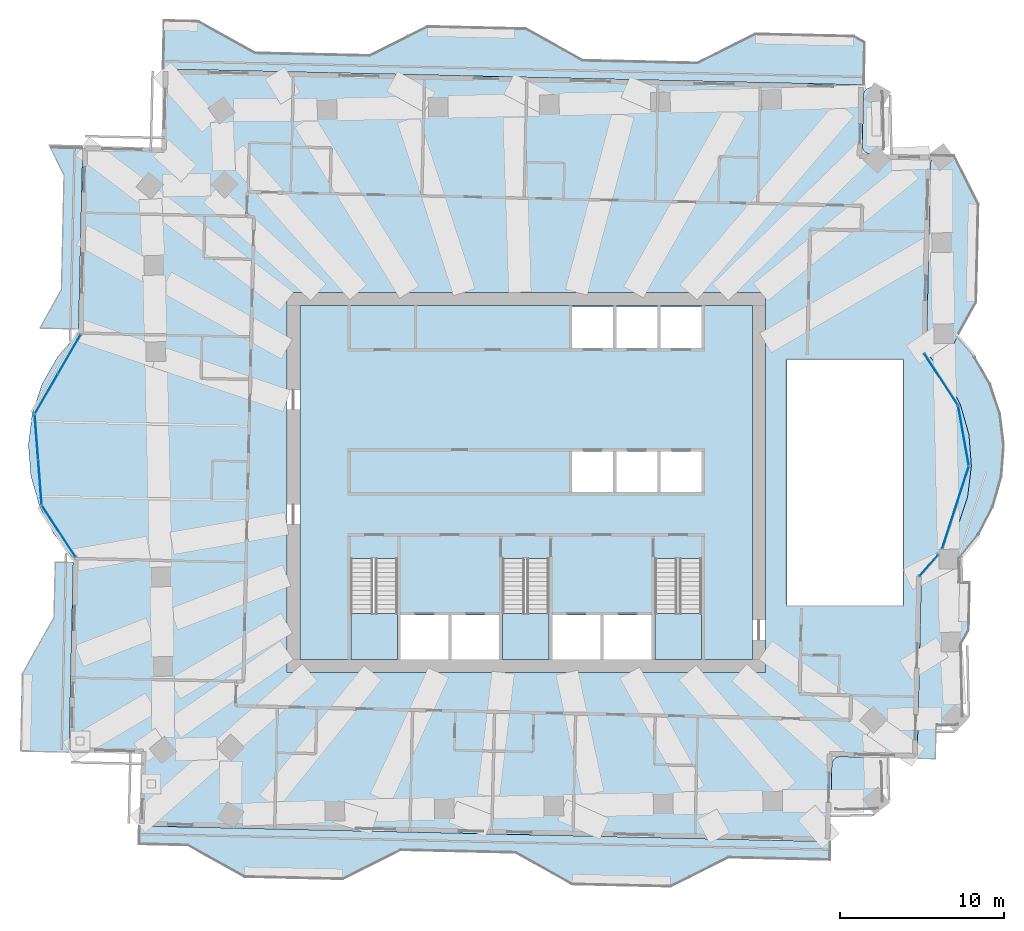
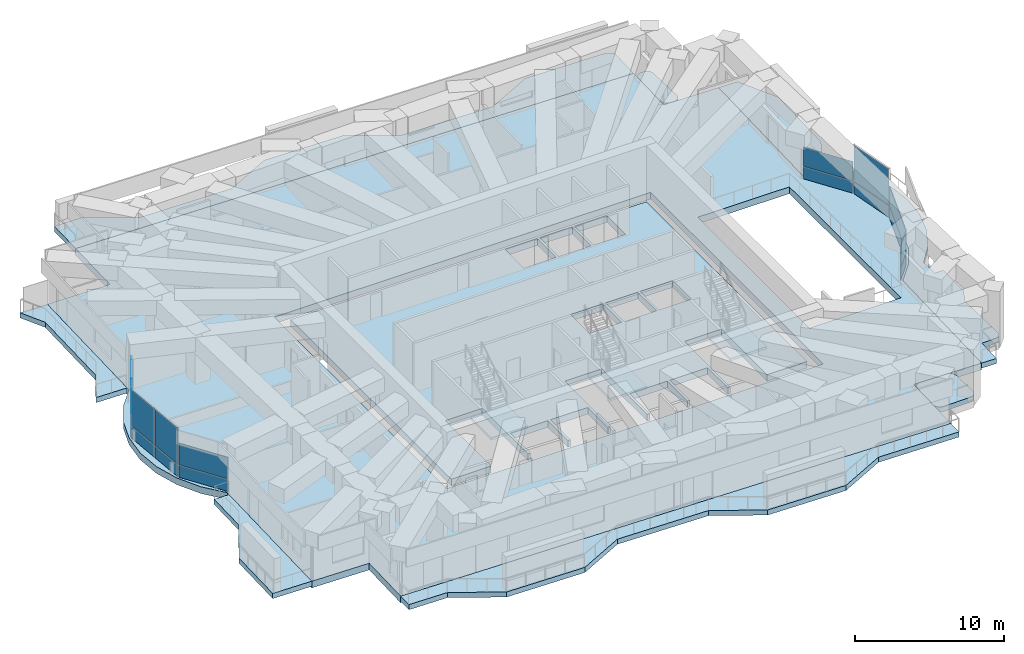
# One storey, part 8 of 19: 18 plates, 13 slabs, 10 elements without a shape of their own.
"""IFC4 building model written with IfcOpenShell, lengths in metres."""

from ifc_helpers import new_model, si_unit, direction, frame, origin, origin_2d, place, context, subcontext, project, spatial, polyline, rectangle, outline, extrude, material, layer, layer_set, type_object, element, aggregate, save


model = new_model("IFC4")

# Units and contexts
model_context = context("Model", 3, precision=1e-05, world=origin(), true_north=direction((0.0, 1.0)))
body_context = subcontext(model_context, "Body", "Model", "MODEL_VIEW")
ifc_project = project(units=[si_unit("LENGTHUNIT", "METRE"), si_unit("AREAUNIT", "SQUARE_METRE"), si_unit("VOLUMEUNIT", "CUBIC_METRE"), si_unit("PLANEANGLEUNIT", "RADIAN"), si_unit("MASSUNIT", "GRAM", prefix="KILO")], contexts=[model_context])

# Site, building, storey
site_placement = place(None, origin())
site = spatial("IfcSite", under=ifc_project, at=site_placement, CompositionType="ELEMENT")
building_placement = place(site_placement, origin())
building = spatial("IfcBuilding", under=site, at=building_placement, Name="Mangrove Gate Tower", CompositionType="ELEMENT")
storey_placement = place(building_placement, frame((0.0, 0.0, 193.300048828125)))
storey = spatial("IfcBuildingStorey", under=building, at=storey_placement, Name="L49", CompositionType="ELEMENT", Elevation=193.300048828125)

# Slabs
ifc_material_1 = material(Name="Porcelain tile")
ifc_layer_1 = layer(ifc_material_1, 0.02001953125, Name="Tile finish")
ifc_material_2 = material(Name="Cement sand screed")
ifc_layer_2 = layer(ifc_material_2, 0.0400390625, Name="Screed laid to falls")
ifc_material_3 = material(Name="Bituminous waterproofing membrane")
ifc_layer_3 = layer(ifc_material_3, 0.00390625, Name="Waterproofing")
ifc_material_4 = material(Name="Concrete C40/50", Category="concrete")
ifc_layer_4 = layer(ifc_material_4, 0.340087890625, Name="Balcony structural slab")
ifc_material_5 = material(Name="Limestone", Category="masonry")
ifc_layer_5 = layer(ifc_material_5, 0.01611328125, Name="Soffit lining")
ifc_layer_set_1 = layer_set([ifc_layer_1, ifc_layer_2, ifc_layer_3, ifc_layer_4, ifc_layer_5], Name="Balcony slab 420 C40/50")
slab_type_1 = type_object("IfcSlabType", Name="Balcony slab 420 C40/50", PredefinedType="FLOOR", material=ifc_layer_set_1)
slab_1_placement = place(storey_placement, frame((0.0, 0.0, -0.420166015625)))
element("IfcSlab", 1, at=slab_1_placement, inside=storey, type_object=slab_type_1, Name="BALCONY L49 E0", PredefinedType="FLOOR", context=body_context, shape_type="SweptSolid", body=[
    extrude(outline(polyline([(24.9990234375, -16.85791015625), (25.044921875, -14.827880859375), (25.047119140625, -14.822021484375), (25.051025390625, -14.818115234375), (25.055908203125, -14.81689453125), (25.06103515625, -14.818115234375), (25.06591796875, -14.822021484375), (26.118896484375, -14.798095703125), (26.1689453125, -14.7939453125), (26.217041015625, -14.785888671875), (26.263916015625, -14.77294921875), (26.31005859375, -14.756103515625), (26.35400390625, -14.73291015625), (26.39501953125, -14.70703125), (26.43408203125, -14.677001953125), (26.468994140625, -14.64404296875), (26.501953125, -14.60595703125), (26.530029296875, -14.56591796875), (26.553955078125, -14.52294921875), (26.573974609375, -14.47900390625), (26.590087890625, -14.43310546875), (26.60107421875, -14.384033203125), (26.60693359375, -14.3359375), (26.60791015625, -14.287109375), (26.510009765625, -9.971923828125), (26.50390625, -9.971923828125), (26.4990234375, -9.969970703125), (26.49609375, -9.966064453125), (26.493896484375, -9.9609375), (26.49609375, -9.9560546875), (27.028076171875, -9.001953125), (27.093017578125, -6.1279296875), (26.429931640625, -6.113037109375), (26.423095703125, -6.111083984375), (26.4189453125, -6.10693359375), (26.41796875, -6.09912109375), (26.422119140625, -6.092041015625), (26.389892578125, -4.66796875), (26.39794921875, -4.655029296875), (27.554931640625, -3.2109375), (27.583984375, -3.1708984375), (27.60888671875, -3.1279296875), (28.43994140625, -1.51708984375), (28.4609375, -1.470947265625), (28.47705078125, -1.424072265625), (28.971923828125, 0.319091796875), (28.98291015625, 0.367919921875), (28.989013671875, 0.41796875), (29.12890625, 2.22509765625), (29.1298828125, 2.27490234375), (29.126953125, 2.324951171875), (28.905029296875, 4.123046875), (28.89697265625, 4.173095703125), (28.883056640625, 4.220947265625), (28.31005859375, 5.93994140625), (28.2919921875, 5.986083984375), (28.26904296875, 6.031005859375), (27.365966796875, 7.60302734375), (27.339111328125, 7.64404296875), (27.30810546875, 7.68408203125), (26.298095703125, 8.83203125), (25.916015625, 8.14404296875), (25.909912109375, 8.137939453125), (25.903076171875, 8.134033203125), (25.89501953125, 8.133056640625), (24.427001953125, 8.1669921875), (24.425048828125, 8.117919921875), (24.427001953125, 8.069091796875), (24.43310546875, 8.01904296875), (24.444091796875, 7.970947265625), (24.4599609375, 7.924072265625), (24.48095703125, 7.8779296875), (24.506103515625, 7.8349609375), (24.534912109375, 7.7939453125), (25.617919921875, 6.443115234375), (26.493896484375, 4.743896484375), (27.01708984375, 2.904052734375), (27.1640625, 0.9970703125), (26.929931640625, -0.902099609375), (26.324951171875, -2.715087890625), (25.3720703125, -4.373046875), (24.22998046875, -5.674072265625), (24.197998046875, -5.712890625), (24.1708984375, -5.7548828125), (24.14892578125, -5.799072265625), (24.131103515625, -5.845947265625), (24.116943359375, -5.89404296875), (24.10888671875, -5.943115234375), (24.10498046875, -5.992919921875), (24.10400390625, -6.0400390625), (24.10791015625, -6.0439453125), (24.110107421875, -6.051025390625), (24.10791015625, -6.055908203125), (24.10400390625, -6.06005859375), (23.85888671875, -16.83203125), (24.9990234375, -16.85791015625)])), origin(), (0.0, 0.0, 1.0), 0.420166015625),
])
slab_2_placement = place(storey_placement, frame((0.0, 0.0, -0.420166015625)))
element("IfcSlab", 2, at=slab_2_placement, inside=storey, type_object=slab_type_1, Name="BALCONY L49 E1", PredefinedType="FLOOR", context=body_context, shape_type="SweptSolid", body=[
    extrude(outline(polyline([(25.89697265625, 8.153076171875), (27.48095703125, 10.992919921875), (27.617919921875, 16.990966796875), (26.15087890625, 19.925048828125), (24.694091796875, 19.9580078125), (24.6279296875, 17.05908203125), (24.491943359375, 11.06005859375), (24.427001953125, 8.18701171875), (25.89697265625, 8.153076171875)])), origin(), (0.0, 0.0, 1.0), 0.420166015625),
])
slab_3_placement = place(storey_placement, frame((0.0, 0.0, -0.420166015625)))
element("IfcSlab", 3, at=slab_3_placement, inside=storey, type_object=slab_type_1, Name="BALCONY L49 N0", PredefinedType="FLOOR", context=body_context, shape_type="SweptSolid", body=[
    extrude(outline(polyline([(20.64990234375, 26.885986328125), (19.987060546875, 27.257080078125), (13.988037109375, 27.39306640625), (10.447021484375, 25.623046875), (3.448974609375, 25.781982421875), (-0.008056640625, 27.7109375), (-0.7080078125, 27.72607421875), (-6.007080078125, 27.846923828125), (-9.548095703125, 26.077880859375), (-16.5458984375, 26.235107421875), (-20.0029296875, 28.1640625), (-22.074951171875, 28.2109375), (-22.14208984375, 25.221923828125), (20.590087890625, 24.251953125), (20.64990234375, 26.885986328125)])), origin(), (0.0, 0.0, 1.0), 0.420166015625),
])
slab_4_placement = place(storey_placement, frame((0.0, 0.0, -0.420166015625)))
element("IfcSlab", 4, at=slab_4_placement, inside=storey, type_object=slab_type_1, Name="BALCONY L49 W0", PredefinedType="FLOOR", context=body_context, shape_type="SweptSolid", body=[
    extrude(outline(polyline([(-29.14111328125, 20.580078125), (-28.23095703125, 18.759033203125), (-28.389892578125, 11.760009765625), (-29.697998046875, 9.4150390625), (-27.303955078125, 9.360107421875), (-27.25, 11.735107421875), (-27.091064453125, 18.73291015625), (-27.050048828125, 20.531982421875), (-29.14111328125, 20.580078125)])), origin(), (0.0, 0.0, 1.0), 0.420166015625),
])
slab_5_placement = place(storey_placement, frame((0.0, 0.0, -0.420166015625)))
element("IfcSlab", 5, at=slab_5_placement, inside=storey, type_object=slab_type_1, Name="BALCONY L49 W1", PredefinedType="FLOOR", context=body_context, shape_type="SweptSolid", body=[
    extrude(outline(polyline([(-28.76708984375, -4.861083984375), (-28.843017578125, -8.23388671875), (-30.77197265625, -11.69189453125), (-30.87890625, -16.389892578125), (-27.889892578125, -16.4580078125), (-27.782958984375, -11.759033203125), (-27.7041015625, -8.260009765625), (-27.626953125, -4.886962890625), (-28.76708984375, -4.861083984375)])), origin(), (0.0, 0.0, 1.0), 0.420166015625),
])
slab_6_placement = place(storey_placement, frame((0.0, 0.0, -0.420166015625)))
element("IfcSlab", 6, at=slab_6_placement, inside=storey, type_object=slab_type_1, Name="BALCONY L49 S0", PredefinedType="FLOOR", context=body_context, shape_type="SweptSolid", body=[
    extrude(outline(polyline([(-23.615966796875, -22.096923828125), (-20.64501953125, -22.1640625), (-17.18798828125, -24.093017578125), (-11.18994140625, -24.22900390625), (-7.64892578125, -22.458984375), (-0.64990234375, -22.617919921875), (2.806884765625, -24.547119140625), (8.804931640625, -24.68310546875), (12.345947265625, -22.9140625), (18.51708984375, -23.052978515625), (18.54296875, -21.9130859375), (-23.591064453125, -20.95703125), (-23.615966796875, -22.096923828125)])), origin(), (0.0, 0.0, 1.0), 0.420166015625),
])
ifc_material_6 = material(Name="Concrete C40/50", Category="concrete")
ifc_layer_6 = layer(ifc_material_6, 0.550048828125)
ifc_layer_set_2 = layer_set([ifc_layer_6], Name="Core floor slab 550 C40/50")
slab_type_2 = type_object("IfcSlabType", Name="Core floor slab 550 C40/50", PredefinedType="FLOOR", material=ifc_layer_set_2)
slab_7_placement = place(storey_placement, frame((0.0, 0.0, -0.550048828125)))
element("IfcSlab", 7, at=slab_7_placement, inside=storey, type_object=slab_type_2, Name="SLAB-L49-CORE-1", PredefinedType="FLOOR", context=body_context, shape_type="SweptSolid", body=[
    extrude(outline(polyline([(-13.800048828125, -10.800048828125), (-13.800048828125, 10.800048828125), (13.800048828125, 10.800048828125), (13.800048828125, -10.800048828125), (10.699951171875, -10.800048828125), (10.699951171875, -4.653076171875), (7.85009765625, -4.653076171875), (7.85009765625, -10.800048828125), (7.64990234375, -10.800048828125), (7.64990234375, -8.10009765625), (4.72509765625, -8.10009765625), (4.72509765625, -10.800048828125), (4.52490234375, -10.800048828125), (4.52490234375, -8.10009765625), (1.60009765625, -8.10009765625), (1.60009765625, -10.800048828125), (1.39990234375, -10.800048828125), (1.39990234375, -4.653076171875), (-1.449951171875, -4.653076171875), (-1.449951171875, -10.800048828125), (-1.64990234375, -10.800048828125), (-1.64990234375, -8.10009765625), (-4.550048828125, -8.10009765625), (-4.550048828125, -10.800048828125), (-4.75, -10.800048828125), (-4.75, -8.10009765625), (-7.64990234375, -8.10009765625), (-7.64990234375, -10.800048828125), (-7.85009765625, -10.800048828125), (-7.85009765625, -4.653076171875), (-10.699951171875, -4.653076171875), (-10.699951171875, -10.800048828125), (-13.800048828125, -10.800048828125)]), holes=[polyline([(5.300048828125, -0.60009765625), (5.300048828125, 1.89990234375), (2.800048828125, 1.89990234375), (2.800048828125, -0.60009765625), (5.300048828125, -0.60009765625)]), polyline([(5.300048828125, 10.699951171875), (2.800048828125, 10.699951171875), (2.800048828125, 8.199951171875), (5.300048828125, 8.199951171875), (5.300048828125, 10.699951171875)]), polyline([(8.0, -0.60009765625), (8.0, 1.89990234375), (5.5, 1.89990234375), (5.5, -0.60009765625), (8.0, -0.60009765625)]), polyline([(10.699951171875, -0.60009765625), (10.699951171875, 1.89990234375), (8.199951171875, 1.89990234375), (8.199951171875, -0.60009765625), (10.699951171875, -0.60009765625)]), polyline([(8.0, 8.199951171875), (8.0, 10.699951171875), (5.5, 10.699951171875), (5.5, 8.199951171875), (8.0, 8.199951171875)]), polyline([(10.699951171875, 8.199951171875), (10.699951171875, 10.699951171875), (8.199951171875, 10.699951171875), (8.199951171875, 8.199951171875), (10.699951171875, 8.199951171875)])]), origin(), (0.0, 0.0, 1.0), 0.550048828125),
])

# Stair, slab
ifc_material_7 = material(Name="Concrete C40/50", Category="concrete")
stair_type = type_object("IfcStairType", Name="Core stair 1350", PredefinedType="HALF_TURN_STAIR", material=ifc_material_7)
stair_1_placement = place(storey_placement, origin())
stair_1 = element("IfcStair", 8, at=stair_1_placement, inside=storey, type_object=stair_type, Name="L49 Stair 1", PredefinedType="HALF_TURN_STAIR")
ifc_material_8 = material(Name="Concrete C40/50", Category="concrete")
ifc_layer_7 = layer(ifc_material_8, 0.199951171875)
ifc_layer_set_3 = layer_set([ifc_layer_7], Name="Core stair landing 200")
slab_type_3 = type_object("IfcSlabType", Name="Core stair landing 200", PredefinedType="LANDING", material=ifc_layer_set_3)
slab_8_placement = place(storey_placement, frame((0.0, 0.0, 2.099853515625)))
slab_8 = element("IfcSlab", 9, at=slab_8_placement, type_object=slab_type_3, Name="ST1 landing 1", PredefinedType="LANDING", context=body_context, shape_type="SweptSolid", body=[
    extrude(outline(polyline([(-10.699951171875, -8.010009765625), (-10.699951171875, -10.800048828125), (-7.85009765625, -10.800048828125), (-7.85009765625, -8.010009765625), (-10.699951171875, -8.010009765625)])), origin(), (0.0, 0.0, 1.0), 0.2001953125),
])
aggregate(stair_1, [slab_8])

stair_2_placement = place(storey_placement, origin())
stair_2 = element("IfcStair", 10, at=stair_2_placement, inside=storey, type_object=stair_type, Name="L49 Stair 2", PredefinedType="HALF_TURN_STAIR")
slab_9_placement = place(storey_placement, frame((0.0, 0.0, 2.099853515625)))
slab_9 = element("IfcSlab", 11, at=slab_9_placement, type_object=slab_type_3, Name="ST2 landing 1", PredefinedType="LANDING", context=body_context, shape_type="SweptSolid", body=[
    extrude(outline(polyline([(-1.449951171875, -8.010009765625), (-1.449951171875, -10.800048828125), (1.39990234375, -10.800048828125), (1.39990234375, -8.010009765625), (-1.449951171875, -8.010009765625)])), origin(), (0.0, 0.0, 1.0), 0.2001953125),
])
aggregate(stair_2, [slab_9])

stair_3_placement = place(storey_placement, origin())
stair_3 = element("IfcStair", 12, at=stair_3_placement, inside=storey, type_object=stair_type, Name="L49 Stair 3", PredefinedType="HALF_TURN_STAIR")
slab_10_placement = place(storey_placement, frame((0.0, 0.0, 2.099853515625)))
slab_10 = element("IfcSlab", 13, at=slab_10_placement, type_object=slab_type_3, Name="ST3 landing 1", PredefinedType="LANDING", context=body_context, shape_type="SweptSolid", body=[
    extrude(outline(polyline([(7.85009765625, -8.010009765625), (7.85009765625, -10.800048828125), (10.699951171875, -10.800048828125), (10.699951171875, -8.010009765625), (7.85009765625, -8.010009765625)])), origin(), (0.0, 0.0, 1.0), 0.2001953125),
])
aggregate(stair_3, [slab_10])

# Slab
ifc_material_9 = material(Name="Concrete C40/50", Category="concrete")
ifc_layer_8 = layer(ifc_material_9, 0.550048828125)
ifc_layer_set_4 = layer_set([ifc_layer_8], Name="Floor slab 550 C40/50")
slab_type_4 = type_object("IfcSlabType", Name="Floor slab 550 C40/50", PredefinedType="FLOOR", material=ifc_layer_set_4)
slab_11_placement = place(storey_placement, frame((0.0, 0.0, -0.550048828125)))
element("IfcSlab", 14, at=slab_11_placement, inside=storey, type_object=slab_type_4, Name="Floor slab L49", PredefinedType="FLOOR", context=body_context, shape_type="SweptSolid", body=[
    extrude(outline(polyline([(-23.590576171875, -20.95703125), (18.54248046875, -21.9130859375), (18.66064453125, -16.71435546875), (23.859130859375, -16.832275390625), (24.109375, -5.810546875), (25.372314453125, -4.3740234375), (26.325439453125, -2.715576171875), (26.930908203125, -0.901123046875), (27.16455078125, 0.997314453125), (27.017333984375, 2.904296875), (26.494873046875, 4.744384765625), (25.617919921875, 6.4443359375), (24.42138671875, 7.9365234375), (24.694091796875, 19.958251953125), (20.4951171875, 20.053466796875), (20.590576171875, 24.25244140625), (-22.142578125, 25.22216796875), (-22.25146484375, 20.42333984375), (-27.050048828125, 20.5322265625), (-27.309326171875, 9.110595703125), (-28.572265625, 7.674072265625), (-29.525390625, 6.015625), (-30.130859375, 4.201171875), (-30.364501953125, 2.302734375), (-30.21728515625, 0.395751953125), (-29.69482421875, -1.4443359375), (-28.81787109375, -3.144287109375), (-27.621337890625, -4.636474609375), (-27.8896484375, -16.458251953125), (-23.49072265625, -16.55810546875), (-23.590576171875, -20.95703125)]), holes=[polyline([(15.89990234375, 7.5), (22.9951171875, 7.5), (22.9951171875, -7.5), (15.89990234375, -7.5), (15.89990234375, 7.5)]), polyline([(-14.60009765625, -11.60009765625), (-14.60009765625, 11.60009765625), (14.60009765625, 11.60009765625), (14.60009765625, -11.60009765625), (-14.60009765625, -11.60009765625)])]), origin(), (0.0, 0.0, 1.0), 0.550048828125),
])

# Curtain wall, plates
ifc_material_10 = material(Name="Aluminium and glass curtain wall", Category="aluminium")
curtain_wall_type = type_object("IfcCurtainWallType", Name="Sky-lounge glazing wall", PredefinedType="NOTDEFINED", material=ifc_material_10)
curtain_wall_1_placement = place(storey_placement, origin())
curtain_wall_1 = element("IfcCurtainWall", 15, at=curtain_wall_1_placement, inside=storey, type_object=curtain_wall_type, Name="Sky-lounge glazing E1p1f1", PredefinedType="NOTDEFINED")
ifc_material_11 = material(Name="Laminated low-e glass", Category="glass")
ifc_layer_9 = layer(ifc_material_11, 0.030029296875)
ifc_layer_set_5 = layer_set([ifc_layer_9], Name="Sky-lounge glazing panel 30")
plate_type = type_object("IfcPlateType", Name="Sky-lounge glazing panel 30", PredefinedType="CURTAIN_PANEL", material=ifc_layer_set_5)
plate_1_placement = place(storey_placement, frame((24.56689453125, -5.06298828125, 0.0), z_axis=(0.0, 0.0, 1.0), x_axis=(0.660295537514, 0.751005860922, 0.0)))
plate_1 = element("IfcPlate", 16, at=plate_1_placement, type_object=plate_type, Name="CWK panel 1.1", PredefinedType="CURTAIN_PANEL", context=body_context, shape_type="SweptSolid", body=[
    extrude(rectangle(XDim=1.71630859375, YDim=0.030029296875, at=origin_2d()), origin(), (0.0, 0.0, 1.0), 0.969970703125),
])
plate_2_placement = place(storey_placement, frame((24.56689453125, -5.06298828125, 1.02978515625), z_axis=(0.0, 0.0, 1.0), x_axis=(0.660295537514, 0.751005860922, 0.0)))
plate_2 = element("IfcPlate", 17, at=plate_2_placement, type_object=plate_type, Name="CWK panel 1.2", PredefinedType="CURTAIN_PANEL", context=body_context, shape_type="SweptSolid", body=[
    extrude(rectangle(XDim=1.71630859375, YDim=0.030029296875, at=origin_2d()), origin(), (0.0, 0.0, 1.0), 1.760009765625),
])
aggregate(curtain_wall_1, [plate_1, plate_2])

curtain_wall_2_placement = place(storey_placement, origin())
curtain_wall_2 = element("IfcCurtainWall", 18, at=curtain_wall_2_placement, inside=storey, type_object=curtain_wall_type, Name="Sky-lounge glazing E1p2f1", PredefinedType="NOTDEFINED")
plate_3_placement = place(storey_placement, frame((26.191650390625, -1.53857421875, 0.0), z_axis=(0.0, 0.0, 1.0), x_axis=(0.308041529526, 0.951372911159, 0.0)))
plate_3 = element("IfcPlate", 19, at=plate_3_placement, type_object=plate_type, Name="CWK panel 1.1", PredefinedType="CURTAIN_PANEL", context=body_context, shape_type="SweptSolid", body=[
    extrude(rectangle(XDim=5.21826171875, YDim=0.030029296875, at=origin_2d()), origin(), (0.0, 0.0, 1.0), 0.969970703125),
])
plate_4_placement = place(storey_placement, frame((26.191650390625, -1.53857421875, 1.030029296875), z_axis=(0.0, 0.0, 1.0), x_axis=(0.308041529526, 0.951372911159, 0.0)))
plate_4 = element("IfcPlate", 20, at=plate_4_placement, type_object=plate_type, Name="CWK panel 1.2", PredefinedType="CURTAIN_PANEL", context=body_context, shape_type="SweptSolid", body=[
    extrude(rectangle(XDim=5.21826171875, YDim=0.030029296875, at=origin_2d()), origin(), (0.0, 0.0, 1.0), 1.56005859375),
])
aggregate(curtain_wall_2, [plate_3, plate_4])

curtain_wall_3_placement = place(storey_placement, origin())
curtain_wall_3 = element("IfcCurtainWall", 21, at=curtain_wall_3_placement, inside=storey, type_object=curtain_wall_type, Name="Sky-lounge glazing E1p2f2", PredefinedType="NOTDEFINED")
plate_5_placement = place(storey_placement, frame((26.684326171875, 2.8447265625, 0.0), z_axis=(0.0, 0.0, 1.0), x_axis=(-0.175967680157, 0.984395944496, 0.0)))
plate_5 = element("IfcPlate", 22, at=plate_5_placement, type_object=plate_type, Name="CWK panel 1.1", PredefinedType="CURTAIN_PANEL", context=body_context, shape_type="SweptSolid", body=[
    extrude(rectangle(XDim=3.626708984375, YDim=0.030029296875, at=origin_2d()), origin(), (0.0, 0.0, 1.0), 0.969970703125),
])
plate_6_placement = place(storey_placement, frame((26.684326171875, 2.8447265625, 1.030029296875), z_axis=(0.0, 0.0, 1.0), x_axis=(-0.175967680157, 0.984395944496, 0.0)))
plate_6 = element("IfcPlate", 23, at=plate_6_placement, type_object=plate_type, Name="CWK panel 1.2", PredefinedType="CURTAIN_PANEL", context=body_context, shape_type="SweptSolid", body=[
    extrude(rectangle(XDim=3.626708984375, YDim=0.030029296875, at=origin_2d()), origin(), (0.0, 0.0, 1.0), 2.9599609375),
])
aggregate(curtain_wall_3, [plate_5, plate_6])

curtain_wall_4_placement = place(storey_placement, origin())
curtain_wall_4 = element("IfcCurtainWall", 24, at=curtain_wall_4_placement, inside=storey, type_object=curtain_wall_type, Name="Sky-lounge glazing E1p2f3", PredefinedType="NOTDEFINED")
plate_7_placement = place(storey_placement, frame((25.312255859375, 6.287109375, 0.0), z_axis=(0.0, 0.0, 1.0), x_axis=(-0.546235085045, 0.837631919083, 0.0)))
plate_7 = element("IfcPlate", 25, at=plate_7_placement, type_object=plate_type, Name="CWK panel 1.1", PredefinedType="CURTAIN_PANEL", context=body_context, shape_type="SweptSolid", body=[
    extrude(rectangle(XDim=3.696044921875, YDim=0.030029296875, at=origin_2d()), origin(), (0.0, 0.0, 1.0), 0.969970703125),
])
plate_8_placement = place(storey_placement, frame((25.312255859375, 6.287109375, 1.030029296875), z_axis=(0.0, 0.0, 1.0), x_axis=(-0.546235085045, 0.837631919083, 0.0)))
plate_8 = element("IfcPlate", 26, at=plate_8_placement, type_object=plate_type, Name="CWK panel 1.2", PredefinedType="CURTAIN_PANEL", context=body_context, shape_type="SweptSolid", body=[
    extrude(rectangle(XDim=3.696044921875, YDim=0.030029296875, at=origin_2d()), origin(), (0.0, 0.0, 1.0), 1.56005859375),
])
aggregate(curtain_wall_4, [plate_7, plate_8])

curtain_wall_5_placement = place(storey_placement, origin())
curtain_wall_5 = element("IfcCurtainWall", 27, at=curtain_wall_5_placement, inside=storey, type_object=curtain_wall_type, Name="Sky-lounge glazing W9f1", PredefinedType="NOTDEFINED")
plate_9_placement = place(storey_placement, frame((-27.8740234375, 7.818359375, 0.0), z_axis=(0.0, 0.0, 1.0), x_axis=(-0.500418160284, -0.865783844189, 0.0)))
plate_9 = element("IfcPlate", 28, at=plate_9_placement, type_object=plate_type, Name="CWK panel 1.1", PredefinedType="CURTAIN_PANEL", context=body_context, shape_type="SweptSolid", body=[
    extrude(rectangle(XDim=2.73095703125, YDim=0.030029296875, at=origin_2d()), origin(), (0.0, 0.0, 1.0), 0.969970703125),
])
plate_10_placement = place(storey_placement, frame((-27.8740234375, 7.818359375, 1.02978515625), z_axis=(0.0, 0.0, 1.0), x_axis=(-0.500418160284, -0.865783844189, 0.0)))
plate_10 = element("IfcPlate", 29, at=plate_10_placement, type_object=plate_type, Name="CWK panel 1.2", PredefinedType="CURTAIN_PANEL", context=body_context, shape_type="SweptSolid", body=[
    extrude(rectangle(XDim=2.73095703125, YDim=0.030029296875, at=origin_2d()), origin(), (0.0, 0.0, 1.0), 1.760009765625),
])
plate_11_placement = place(storey_placement, frame((-29.2705078125, 5.402099609375, 0.0), z_axis=(0.0, 0.0, 1.0), x_axis=(-0.500418160284, -0.865783844189, 0.0)))
plate_11 = element("IfcPlate", 30, at=plate_11_placement, type_object=plate_type, Name="CWK panel 2.1", PredefinedType="CURTAIN_PANEL", context=body_context, shape_type="SweptSolid", body=[
    extrude(rectangle(XDim=2.73095703125, YDim=0.030029296875, at=origin_2d()), origin(), (0.0, 0.0, 1.0), 0.969970703125),
])
plate_12_placement = place(storey_placement, frame((-29.2705078125, 5.402099609375, 1.02978515625), z_axis=(0.0, 0.0, 1.0), x_axis=(-0.500418160284, -0.865783844189, 0.0)))
plate_12 = element("IfcPlate", 31, at=plate_12_placement, type_object=plate_type, Name="CWK panel 2.2", PredefinedType="CURTAIN_PANEL", context=body_context, shape_type="SweptSolid", body=[
    extrude(rectangle(XDim=2.73095703125, YDim=0.030029296875, at=origin_2d()), origin(), (0.0, 0.0, 1.0), 1.760009765625),
])
aggregate(curtain_wall_5, [plate_9, plate_10, plate_11, plate_12])

curtain_wall_6_placement = place(storey_placement, origin())
curtain_wall_6 = element("IfcCurtainWall", 32, at=curtain_wall_6_placement, inside=storey, type_object=curtain_wall_type, Name="Sky-lounge glazing W9f2", PredefinedType="NOTDEFINED")
plate_13_placement = place(storey_placement, frame((-29.87548828125, 2.763671875, 0.0), z_axis=(0.0, 0.0, 1.0), x_axis=(0.077023348229, -0.997029289353, 0.0)))
plate_13 = element("IfcPlate", 33, at=plate_13_placement, type_object=plate_type, Name="CWK panel 1.1", PredefinedType="CURTAIN_PANEL", context=body_context, shape_type="SweptSolid", body=[
    extrude(rectangle(XDim=2.69677734375, YDim=0.030029296875, at=origin_2d()), origin(), (0.0, 0.0, 1.0), 0.969970703125),
])
plate_14_placement = place(storey_placement, frame((-29.87548828125, 2.763671875, 1.030029296875), z_axis=(0.0, 0.0, 1.0), x_axis=(0.077023348229, -0.997029289353, 0.0)))
plate_14 = element("IfcPlate", 34, at=plate_14_placement, type_object=plate_type, Name="CWK panel 1.2", PredefinedType="CURTAIN_PANEL", context=body_context, shape_type="SweptSolid", body=[
    extrude(rectangle(XDim=2.69677734375, YDim=0.030029296875, at=origin_2d()), origin(), (0.0, 0.0, 1.0), 2.9599609375),
])
plate_15_placement = place(storey_placement, frame((-29.6630859375, 0.01513671875, 0.0), z_axis=(0.0, 0.0, 1.0), x_axis=(0.077023348229, -0.997029289353, 0.0)))
plate_15 = element("IfcPlate", 35, at=plate_15_placement, type_object=plate_type, Name="CWK panel 2.1", PredefinedType="CURTAIN_PANEL", context=body_context, shape_type="SweptSolid", body=[
    extrude(rectangle(XDim=2.69677734375, YDim=0.030029296875, at=origin_2d()), origin(), (0.0, 0.0, 1.0), 0.969970703125),
])
plate_16_placement = place(storey_placement, frame((-29.6630859375, 0.01513671875, 1.030029296875), z_axis=(0.0, 0.0, 1.0), x_axis=(0.077023348229, -0.997029289353, 0.0)))
plate_16 = element("IfcPlate", 36, at=plate_16_placement, type_object=plate_type, Name="CWK panel 2.2", PredefinedType="CURTAIN_PANEL", context=body_context, shape_type="SweptSolid", body=[
    extrude(rectangle(XDim=2.69677734375, YDim=0.030029296875, at=origin_2d()), origin(), (0.0, 0.0, 1.0), 2.9599609375),
])
aggregate(curtain_wall_6, [plate_13, plate_14, plate_15, plate_16])

curtain_wall_7_placement = place(storey_placement, origin())
curtain_wall_7 = element("IfcCurtainWall", 37, at=curtain_wall_7_placement, inside=storey, type_object=curtain_wall_type, Name="Sky-lounge glazing W9f3", PredefinedType="NOTDEFINED")
plate_17_placement = place(storey_placement, frame((-28.512451171875, -2.987060546875, 0.0), z_axis=(0.0, 0.0, 1.0), x_axis=(0.546235085045, -0.837631919083, 0.0)))
plate_17 = element("IfcPlate", 38, at=plate_17_placement, type_object=plate_type, Name="CWK panel 1.1", PredefinedType="CURTAIN_PANEL", context=body_context, shape_type="SweptSolid", body=[
    extrude(rectangle(XDim=3.696044921875, YDim=0.030029296875, at=origin_2d()), origin(), (0.0, 0.0, 1.0), 0.969970703125),
])
plate_18_placement = place(storey_placement, frame((-28.512451171875, -2.987060546875, 1.02978515625), z_axis=(0.0, 0.0, 1.0), x_axis=(0.546235085045, -0.837631919083, 0.0)))
plate_18 = element("IfcPlate", 39, at=plate_18_placement, type_object=plate_type, Name="CWK panel 1.2", PredefinedType="CURTAIN_PANEL", context=body_context, shape_type="SweptSolid", body=[
    extrude(rectangle(XDim=3.696044921875, YDim=0.030029296875, at=origin_2d()), origin(), (0.0, 0.0, 1.0), 1.760009765625),
])
aggregate(curtain_wall_7, [plate_17, plate_18])

# Slabs
ifc_material_12 = material(Name="Granite", Category="masonry")
ifc_layer_10 = layer(ifc_material_12, 0.030029296875, Name="Granite paving")
ifc_layer_11 = layer(ifc_material_2, 0.0400390625, Name="Bedding screed")
ifc_layer_12 = layer(ifc_material_3, 0.0048828125, Name="Waterproofing")
ifc_material_13 = material(Name="Extruded polystyrene insulation")
ifc_layer_13 = layer(ifc_material_13, 0.0400390625, Name="Insulation")
ifc_layer_14 = layer(ifc_material_4, 0.304931640625, Name="Terrace structural slab")
ifc_layer_set_6 = layer_set([ifc_layer_10, ifc_layer_11, ifc_layer_12, ifc_layer_13, ifc_layer_14], Name="Terrace slab C40/50")
slab_type_5 = type_object("IfcSlabType", Name="Terrace slab C40/50", PredefinedType="FLOOR", material=ifc_layer_set_6)
slab_12_placement = place(storey_placement, frame((0.0, 0.0, -0.420166015625)))
element("IfcSlab", 40, at=slab_12_placement, inside=storey, type_object=slab_type_5, Name="TERRACE L49 3", PredefinedType="FLOOR", context=body_context, shape_type="SweptSolid", body=[
    extrude(outline(polyline([(21.236083984375, 24.10107421875), (21.06396484375, 24.096923828125), (21.01708984375, 24.093994140625), (20.969970703125, 24.0859375), (20.924072265625, 24.073974609375), (20.87890625, 24.056884765625), (20.8359375, 24.035888671875), (20.7958984375, 24.011962890625), (20.757080078125, 23.98291015625), (20.721923828125, 23.950927734375), (20.68994140625, 23.916015625), (20.662109375, 23.8779296875), (20.636962890625, 23.8369140625), (20.615966796875, 23.7939453125), (20.59912109375, 23.7490234375), (20.5869140625, 23.702880859375), (20.5791015625, 23.656005859375), (20.575927734375, 23.60888671875), (20.507080078125, 20.552978515625), (20.508056640625, 20.50390625), (20.513916015625, 20.4560546875), (20.52490234375, 20.407958984375), (20.5400390625, 20.361083984375), (20.56005859375, 20.31591796875), (20.583984375, 20.27392578125), (20.613037109375, 20.23388671875), (20.64501953125, 20.197021484375), (20.680908203125, 20.1630859375), (20.718994140625, 20.133056640625), (20.760986328125, 20.10595703125), (20.804931640625, 20.0849609375), (20.85009765625, 20.06689453125), (20.89794921875, 20.053955078125), (20.946044921875, 20.0458984375), (20.9951171875, 20.0419921875), (21.304931640625, 20.034912109375), (21.35595703125, 20.035888671875), (21.406005859375, 20.04296875), (21.455078125, 20.053955078125), (21.5029296875, 20.071044921875), (21.549072265625, 20.092041015625), (21.592041015625, 20.117919921875), (21.633056640625, 20.14794921875), (21.669921875, 20.180908203125), (21.7041015625, 20.218994140625), (21.73388671875, 20.260009765625), (21.760009765625, 20.302978515625), (21.781005859375, 20.34912109375), (21.797119140625, 20.39697265625), (21.80908203125, 20.446044921875), (21.81494140625, 20.49609375), (21.81591796875, 20.5458984375), (21.7470703125, 23.613037109375), (21.742919921875, 23.662109375), (21.735107421875, 23.7099609375), (21.721923828125, 23.757080078125), (21.705078125, 23.802978515625), (21.68310546875, 23.846923828125), (21.656005859375, 23.888916015625), (21.6259765625, 23.927001953125), (21.592041015625, 23.962890625), (21.554931640625, 23.9951171875), (21.514892578125, 24.02294921875), (21.472900390625, 24.048095703125), (21.427978515625, 24.068115234375), (21.381103515625, 24.0830078125), (21.3330078125, 24.093994140625), (21.284912109375, 24.10009765625), (21.236083984375, 24.10107421875)])), origin(), (0.0, 0.0, 1.0), 0.420166015625),
])
slab_13_placement = place(storey_placement, frame((0.0, 0.0, -0.420166015625)))
element("IfcSlab", 41, at=slab_13_placement, inside=storey, type_object=slab_type_5, Name="TERRACE L49 4", PredefinedType="FLOOR", context=body_context, shape_type="SweptSolid", body=[
    extrude(outline(polyline([(21.722900390625, -19.39892578125), (21.674072265625, -17.260009765625), (21.6708984375, -17.212890625), (21.6630859375, -17.166015625), (21.65087890625, -17.1201171875), (21.634033203125, -17.074951171875), (21.613037109375, -17.031982421875), (21.587890625, -16.990966796875), (21.56005859375, -16.952880859375), (21.528076171875, -16.91796875), (21.492919921875, -16.885986328125), (21.4541015625, -16.85693359375), (21.4140625, -16.8330078125), (21.37109375, -16.81201171875), (21.325927734375, -16.794921875), (21.280029296875, -16.782958984375), (21.23291015625, -16.77490234375), (21.18603515625, -16.77197265625), (19.159912109375, -16.72607421875), (19.111083984375, -16.72705078125), (19.06298828125, -16.73291015625), (19.014892578125, -16.743896484375), (18.968017578125, -16.759033203125), (18.923095703125, -16.779052734375), (18.881103515625, -16.803955078125), (18.841064453125, -16.83203125), (18.803955078125, -16.864013671875), (18.77001953125, -16.89990234375), (18.739990234375, -16.93798828125), (18.714111328125, -16.97998046875), (18.69189453125, -17.02392578125), (18.674072265625, -17.070068359375), (18.660888671875, -17.116943359375), (18.653076171875, -17.1650390625), (18.64892578125, -17.214111328125), (18.59912109375, -19.447021484375), (18.60009765625, -19.498046875), (18.60595703125, -19.548095703125), (18.617919921875, -19.596923828125), (18.634033203125, -19.64501953125), (18.655029296875, -19.68994140625), (18.680908203125, -19.73388671875), (18.7109375, -19.77490234375), (18.7451171875, -19.81201171875), (18.781982421875, -19.845947265625), (18.822998046875, -19.8759765625), (18.865966796875, -19.90087890625), (18.912109375, -19.923095703125), (18.9599609375, -19.93896484375), (19.009033203125, -19.949951171875), (19.05908203125, -19.95703125), (19.110107421875, -19.9580078125), (21.23388671875, -19.909912109375), (21.282958984375, -19.906982421875), (21.3310546875, -19.89794921875), (21.37890625, -19.885009765625), (21.425048828125, -19.867919921875), (21.468017578125, -19.845947265625), (21.510009765625, -19.820068359375), (21.549072265625, -19.7890625), (21.583984375, -19.756103515625), (21.615966796875, -19.718994140625), (21.64501953125, -19.678955078125), (21.6689453125, -19.635986328125), (21.68896484375, -19.591064453125), (21.7041015625, -19.5439453125), (21.715087890625, -19.4970703125), (21.720947265625, -19.447998046875), (21.722900390625, -19.39892578125)])), origin(), (0.0, 0.0, 1.0), 0.420166015625),
])

save(model, "model.ifc")
